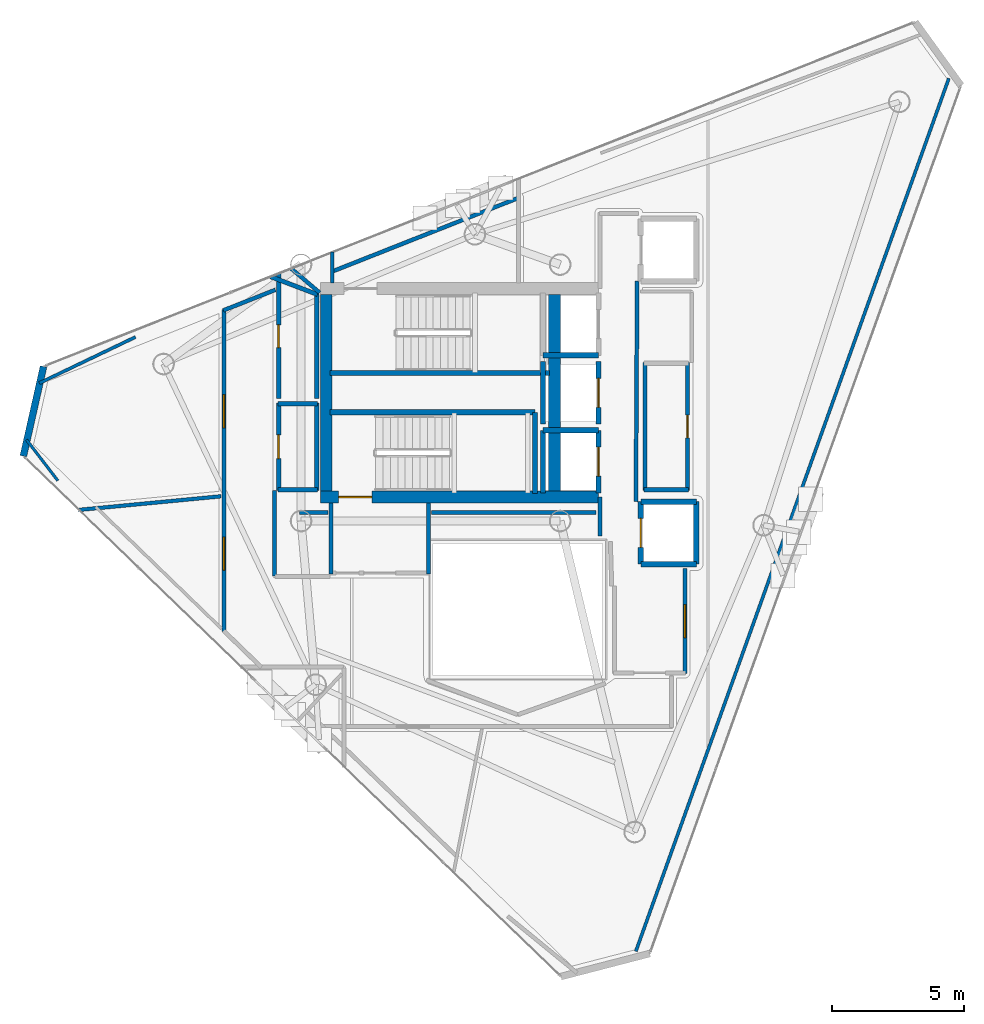
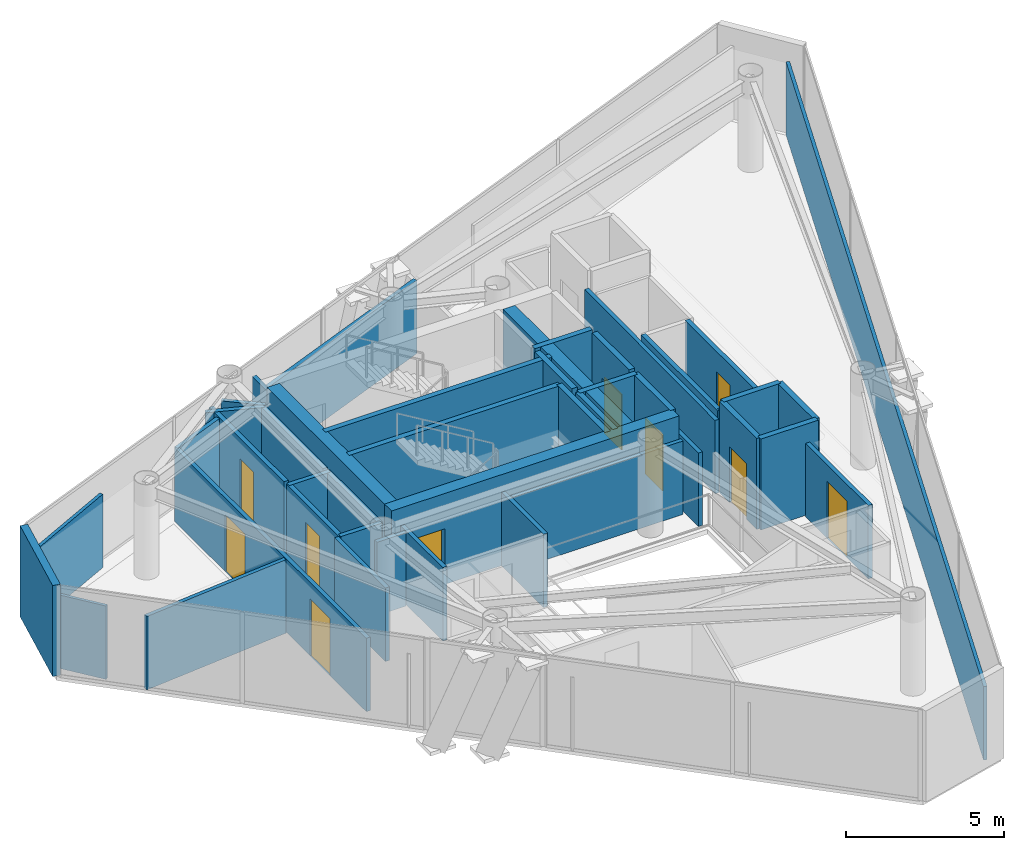
# One storey, part 16 of 19: 44 walls, 10 doors, 10 openings.
"""IFC4 building model written with IfcOpenShell, lengths in metres."""

from ifc_helpers import new_model, si_unit, direction, frame, frame_2d, origin, place, context, subcontext, project, spatial, rectangle, extrude, material, layer, layer_set, type_object, element, fill, save


model = new_model("IFC4")

# Units and contexts
model_context = context("Model", 3, precision=1e-05, world=origin(), true_north=direction((0.0, 1.0)))
body_context = subcontext(model_context, "Body", "Model", "MODEL_VIEW")
ifc_project = project(units=[si_unit("LENGTHUNIT", "METRE"), si_unit("AREAUNIT", "SQUARE_METRE"), si_unit("VOLUMEUNIT", "CUBIC_METRE"), si_unit("PLANEANGLEUNIT", "RADIAN"), si_unit("MASSUNIT", "GRAM", prefix="KILO")], contexts=[model_context])

# Site, building, storey
site_placement = place(None, origin())
site = spatial("IfcSite", under=ifc_project, at=site_placement, CompositionType="ELEMENT")
building_placement = place(site_placement, origin())
building = spatial("IfcBuilding", under=site, at=building_placement, Name="Qianvela Tower", CompositionType="ELEMENT")
storey_placement = place(building_placement, frame((0.0, 0.0, 344.39990234375)))
storey = spatial("IfcBuildingStorey", under=building, at=storey_placement, Name="L89", CompositionType="ELEMENT", Elevation=344.39990234375)

# Wall
ifc_material_1 = material(Name="Terracotta Cladding on Concrete C40", Category="masonry")
ifc_layer_1 = layer(ifc_material_1, 0.260009765625)
ifc_layer_set_1 = layer_set([ifc_layer_1], Name="Terracotta Cladding on Concrete C40")
wall_type_1 = type_object("IfcWallType", Name="TERRACOTTA-WALL-260", PredefinedType="SOLIDWALL", material=ifc_layer_set_1)
wall_1_placement = place(storey_placement, frame((18.8603515625, 29.69384765625, 0.0), z_axis=(0.0, 0.0, 1.0), x_axis=(-0.219758092105, -0.975554396717, 0.0)))
element("IfcWall", 1, at=wall_1_placement, inside=storey, type_object=wall_type_1, Name="L89 Terracotta Chamfer Facet Wall 3", PredefinedType="SOLIDWALL", context=body_context, shape_type="SweptSolid", body=[
    extrude(rectangle(XDim=3.472900390625, YDim=0.260009765625, at=frame_2d((1.736328125, 0.0))), origin(), (0.0, 0.0, 1.0), 3.52001953125),
])

# Wall, opening, door
ifc_material_2 = material(Name="Concrete C50", Category="concrete")
ifc_layer_2 = layer(ifc_material_2, 0.449951171875)
ifc_layer_set_2 = layer_set([ifc_layer_2], Name="Concrete C50")
wall_type_2 = type_object("IfcWallType", Name="WT-CORE-450", PredefinedType="SHEAR", material=ifc_layer_set_2)
wall_2_placement = place(storey_placement, frame((29.330078125, 24.7548828125, 0.0), z_axis=(0.0, 0.0, 1.0), x_axis=(1.0, 0.0, 0.0)))
wall_2 = element("IfcWall", 2, at=wall_2_placement, inside=storey, type_object=wall_type_2, Name="L89 South Core Shear Wall", PredefinedType="SHEAR", context=body_context, shape_type="SweptSolid", body=[
    extrude(rectangle(XDim=10.52001953125, YDim=0.449951171875, at=frame_2d((5.260009765625, 0.0))), origin(), (0.0, 0.0, 1.0), 3.52001953125),
])
opening_1_placement = place(wall_2_placement, frame((0.695068359375, 0.0, 0.0)))
opening_1 = element("IfcOpeningElement", 3, at=opening_1_placement, cuts=wall_2, Name="Opening D-ST1", PredefinedType="OPENING", context=body_context, shape_type="SweptSolid", body=[
    extrude(rectangle(XDim=1.25, YDim=2.14990234375, at=frame_2d((0.625, 1.074951171875))), frame((0.0, 0.23486328125, 0.0), z_axis=(0.0, -1.0, 0.0), x_axis=(1.0, 0.0, 0.0)), (0.0, 0.0, 1.0), 0.469970703125),
])
ifc_material_3 = material(Name="Galvanised Fire Steel Q355B", Category="steel")
door_type_1 = type_object("IfcDoorType", Name="DT-STAIR-FD90", OperationType="NOTDEFINED", PredefinedType="DOOR", material=ifc_material_3)
door_1_placement = place(opening_1_placement, origin())
door_1 = element("IfcDoor", 4, at=door_1_placement, inside=storey, type_object=door_type_1, Name="L89 Stair ST-2 Exit Door", OperationType="SINGLE_SWING_LEFT", OverallHeight=2.14990234375, OverallWidth=1.25, PredefinedType="DOOR", context=body_context, shape_type="SweptSolid", body=[
    extrude(rectangle(XDim=1.25, YDim=2.14990234375, at=frame_2d((0.625, 1.074951171875))), frame((0.0, 0.02490234375, 0.0), z_axis=(0.0, -1.0, 0.0), x_axis=(1.0, 0.0, 0.0)), (0.0, 0.0, 1.0), 0.050048828125),
])
fill(opening_1, door_1)

# Walls
for number, where, z_axis, x_axis, name in (
    (5, (29.554931640625, 24.97998046875, 0.0), (0.0, 0.0, 1.0), (0.0, 1.0, 0.0), "L89 West Core Shear Wall"),
    (6, (38.179931640625, 24.97998046875, 0.0), (0.0, 0.0, 1.0), (0.0, 1.0, 0.0), "L89 East Spine Core Shear Wall"),
):
    element("IfcWall", number, at=place(storey_placement, frame(where, z_axis=z_axis, x_axis=x_axis)), inside=storey, type_object=wall_type_2, Name=name, PredefinedType="SHEAR", context=body_context, shape_type="SweptSolid", body=[
        extrude(rectangle(XDim=7.43994140625, YDim=0.449951171875, at=frame_2d((3.719970703125, 0.0))), origin(), (0.0, 0.0, 1.0), 3.52001953125),
    ])
ifc_material_4 = material(Name="Fire-Rated Acoustic Gypsum Board")
ifc_layer_3 = layer(ifc_material_4, 0.14990234375)
ifc_layer_set_3 = layer_set([ifc_layer_3], Name="Fire-Rated Acoustic Gypsum Board")
wall_type_3 = type_object("IfcWallType", Name="WT-CORR-150", PredefinedType="PARTITIONING", material=ifc_layer_set_3)
wall_3_placement = place(storey_placement, frame((29.761474609375, 33.281005859375, 0.0), z_axis=(0.0, 0.0, 1.0), x_axis=(0.929984111793, 0.367599716828, 0.0)))
element("IfcWall", 7, at=wall_3_placement, inside=storey, type_object=wall_type_3, Name="L89 Partition 1", PredefinedType="PARTITIONING", context=body_context, shape_type="SweptSolid", body=[
    extrude(rectangle(XDim=7.63427734375, YDim=0.14990234375, at=frame_2d((3.817138671875, 0.0))), origin(), (0.0, 0.0, 1.0), 2.840087890625),
])
wall_4_placement = place(storey_placement, frame((29.781005859375, 32.85791015625, 0.0), z_axis=(0.0, 0.0, 1.0), x_axis=(0.0, 1.0, 0.0)))
element("IfcWall", 8, at=wall_4_placement, inside=storey, type_object=wall_type_3, Name="L89 Partition 4", PredefinedType="PARTITIONING", context=body_context, shape_type="SweptSolid", body=[
    extrude(rectangle(XDim=1.172607421875, YDim=0.14990234375, at=frame_2d((0.58642578125, 0.0))), origin(), (0.0, 0.0, 1.0), 2.840087890625),
])
for number, where, z_axis, x_axis, name in (
    (9, (29.73095703125, 21.85009765625, 0.0), (0.0, 0.0, 1.0), (0.0, 1.0, 0.0), "L89 Partition 6"),
    (10, (33.4189453125, 24.5419921875, 0.0), (0.0, 0.0, 1.0), (0.0, -1.0, 0.0), "L89 Partition 8"),
):
    element("IfcWall", number, at=place(storey_placement, frame(where, z_axis=z_axis, x_axis=x_axis)), inside=storey, type_object=wall_type_3, Name=name, PredefinedType="PARTITIONING", context=body_context, shape_type="SweptSolid", body=[
        extrude(rectangle(XDim=2.69189453125, YDim=0.14990234375, at=frame_2d((1.345947265625, 0.0))), origin(), (0.0, 0.0, 1.0), 2.840087890625),
    ])
wall_5_placement = place(storey_placement, frame((39.910888671875, 23.280029296875, 0.0), z_axis=(0.0, 0.0, 1.0), x_axis=(0.0, 1.0, 0.0)))
element("IfcWall", 11, at=wall_5_placement, inside=storey, type_object=wall_type_3, Name="L89 Partition 10", PredefinedType="PARTITIONING", context=body_context, shape_type="SweptSolid", body=[
    extrude(rectangle(XDim=1.47998046875, YDim=0.14990234375, at=frame_2d((0.739990234375, 0.0))), origin(), (0.0, 0.0, 1.0), 2.840087890625),
])
wall_6_placement = place(storey_placement, frame((41.3134765625, 32.919921875, 0.0), z_axis=(0.0, 0.0, 1.0), x_axis=(-0.005942518022, -0.999982343084, 0.0)))
element("IfcWall", 12, at=wall_6_placement, inside=storey, type_object=wall_type_3, Name="L89 Partition 14 seg 2", PredefinedType="PARTITIONING", context=body_context, shape_type="SweptSolid", body=[
    extrude(rectangle(XDim=8.340087890625, YDim=0.14990234375, at=frame_2d((4.169921875, 0.0))), origin(), (0.0, 0.0, 1.0), 2.840087890625),
])

# Wall, opening, door
wall_7_placement = place(storey_placement, frame((43.118896484375, 22.050048828125, 0.0), z_axis=(0.0, 0.0, 1.0), x_axis=(0.0, -1.0, 0.0)))
wall_7 = element("IfcWall", 13, at=wall_7_placement, inside=storey, type_object=wall_type_3, Name="L89 Partition 16", PredefinedType="PARTITIONING", context=body_context, shape_type="SweptSolid", body=[
    extrude(rectangle(XDim=3.969970703125, YDim=0.14990234375, at=frame_2d((1.98486328125, 0.0))), origin(), (0.0, 0.0, 1.0), 2.840087890625),
])
opening_2_placement = place(wall_7_placement, frame((1.360107421875, 0.0, 0.0)))
opening_2 = element("IfcOpeningElement", 14, at=opening_2_placement, cuts=wall_7, Name="Opening D-LG1", PredefinedType="OPENING", context=body_context, shape_type="SweptSolid", body=[
    extrude(rectangle(XDim=1.25, YDim=2.199951171875, at=frame_2d((0.625, 1.10009765625))), frame((0.0, 0.0849609375, 0.0), z_axis=(0.0, -1.0, 0.0), x_axis=(1.0, 0.0, 0.0)), (0.0, 0.0, 1.0), 0.169921875),
])
ifc_material_5 = material(Name="Anodised Aluminium Acoustic Glass Door", Category="aluminium")
door_type_2 = type_object("IfcDoorType", Name="DT-LOUNGE-1250", OperationType="NOTDEFINED", PredefinedType="DOOR", material=ifc_material_5)
door_2_placement = place(opening_2_placement, origin())
door_2 = element("IfcDoor", 15, at=door_2_placement, inside=storey, type_object=door_type_2, Name="L89 Door Student Reading Library L89-03 to L89 Lift Lobby", OperationType="SINGLE_SWING_RIGHT", OverallHeight=2.199951171875, OverallWidth=1.25, PredefinedType="DOOR", context=body_context, shape_type="SweptSolid", body=[
    extrude(rectangle(XDim=1.25, YDim=2.199951171875, at=frame_2d((0.625, 1.10009765625))), frame((0.0, 0.02490234375, 0.0), z_axis=(0.0, -1.0, 0.0), x_axis=(1.0, 0.0, 0.0)), (0.0, 0.0, 1.0), 0.050048828125),
])
fill(opening_2, door_2)

# Walls
wall_8_placement = place(storey_placement, frame((29.6201171875, 24.180908203125, 0.0), z_axis=(0.0, 0.0, 1.0), x_axis=(-1.0, 0.0, 0.0)))
element("IfcWall", 16, at=wall_8_placement, inside=storey, type_object=wall_type_3, Name="L89 Partition 36", PredefinedType="PARTITIONING", context=body_context, shape_type="SweptSolid", body=[
    extrude(rectangle(XDim=1.070068359375, YDim=0.14990234375, at=frame_2d((0.53515625, 0.0))), origin(), (0.0, 0.0, 1.0), 2.840087890625),
])
wall_9_placement = place(storey_placement, frame((29.303466796875, 32.488525390625, 0.0), z_axis=(0.0, 0.0, 1.0), x_axis=(-0.762799786906, 0.646634738547, 0.0)))
element("IfcWall", 17, at=wall_9_placement, inside=storey, type_object=wall_type_3, Name="L89 Partition 40", PredefinedType="PARTITIONING", context=body_context, shape_type="SweptSolid", body=[
    extrude(rectangle(XDim=1.406005859375, YDim=0.14990234375, at=frame_2d((0.703125, 0.0))), origin(), (0.0, 0.0, 1.0), 2.840087890625),
])
wall_10_placement = place(storey_placement, frame((39.75, 24.180908203125, 0.0), z_axis=(0.0, 0.0, 1.0), x_axis=(-1.0, 0.0, 0.0)))
element("IfcWall", 18, at=wall_10_placement, inside=storey, type_object=wall_type_3, Name="L89 Partition 44", PredefinedType="PARTITIONING", context=body_context, shape_type="SweptSolid", body=[
    extrude(rectangle(XDim=6.219970703125, YDim=0.14990234375, at=frame_2d((3.10986328125, 0.0))), origin(), (0.0, 0.0, 1.0), 2.840087890625),
])

# Wall, openings, doors
wall_11_placement = place(storey_placement, frame((25.680908203125, 19.680908203125, 0.0), z_axis=(0.0, 0.0, 1.0), x_axis=(0.0, 1.0, 0.0)))
wall_11 = element("IfcWall", 19, at=wall_11_placement, inside=storey, type_object=wall_type_3, Name="L89 Partition 52", PredefinedType="PARTITIONING", context=body_context, shape_type="SweptSolid", body=[
    extrude(rectangle(XDim=12.164306640625, YDim=0.14990234375, at=frame_2d((6.08203125, 0.0))), origin(), (0.0, 0.0, 1.0), 2.840087890625),
])
opening_3_placement = place(wall_11_placement, frame((2.3134765625, 0.0, 0.0)))
opening_3 = element("IfcOpeningElement", 20, at=opening_3_placement, cuts=wall_11, Name="Opening D-LG1", PredefinedType="OPENING", context=body_context, shape_type="SweptSolid", body=[
    extrude(rectangle(XDim=1.25, YDim=2.199951171875, at=frame_2d((0.625, 1.10009765625))), frame((0.0, 0.0849609375, 0.0), z_axis=(0.0, -1.0, 0.0), x_axis=(1.0, 0.0, 0.0)), (0.0, 0.0, 1.0), 0.169921875),
])
opening_4_placement = place(wall_11_placement, frame((7.697021484375, 0.0, 0.0)))
opening_4 = element("IfcOpeningElement", 21, at=opening_4_placement, cuts=wall_11, Name="Opening D-LG1", PredefinedType="OPENING", context=body_context, shape_type="SweptSolid", body=[
    extrude(rectangle(XDim=1.25, YDim=2.199951171875, at=frame_2d((0.625, 1.10009765625))), frame((0.0, 0.0849609375, 0.0), z_axis=(0.0, -1.0, 0.0), x_axis=(1.0, 0.0, 0.0)), (0.0, 0.0, 1.0), 0.169921875),
])
door_3_placement = place(opening_3_placement, origin())
door_3 = element("IfcDoor", 22, at=door_3_placement, inside=storey, type_object=door_type_2, Name="L89 Door Student Fitness Gym L89-01 to L89 Floor Corridor", OperationType="SINGLE_SWING_RIGHT", OverallHeight=2.199951171875, OverallWidth=1.25, PredefinedType="DOOR", context=body_context, shape_type="SweptSolid", body=[
    extrude(rectangle(XDim=1.25, YDim=2.199951171875, at=frame_2d((0.625, 1.10009765625))), frame((0.0, 0.02490234375, 0.0), z_axis=(0.0, -1.0, 0.0), x_axis=(1.0, 0.0, 0.0)), (0.0, 0.0, 1.0), 0.050048828125),
])
fill(opening_3, door_3)
door_4_placement = place(opening_4_placement, origin())
door_4 = element("IfcDoor", 23, at=door_4_placement, inside=storey, type_object=door_type_2, Name="L89 Door Commons Day Lounge L89-04 to L89 Floor Corridor", OperationType="SINGLE_SWING_LEFT", OverallHeight=2.199951171875, OverallWidth=1.25, PredefinedType="DOOR", context=body_context, shape_type="SweptSolid", body=[
    extrude(rectangle(XDim=1.25, YDim=2.199951171875, at=frame_2d((0.625, 1.10009765625))), frame((0.0, 0.02490234375, 0.0), z_axis=(0.0, -1.0, 0.0), x_axis=(1.0, 0.0, 0.0)), (0.0, 0.0, 1.0), 0.050048828125),
])
fill(opening_4, door_4)

# Walls
wall_12_placement = place(storey_placement, frame((25.661376953125, 31.81640625, 0.0), z_axis=(0.0, 0.0, 1.0), x_axis=(0.929963469363, 0.367651935465, 0.0)))
element("IfcWall", 24, at=wall_12_placement, inside=storey, type_object=wall_type_3, Name="L89 Partition 53", PredefinedType="PARTITIONING", context=body_context, shape_type="SweptSolid", body=[
    extrude(rectangle(XDim=2.118408203125, YDim=0.14990234375, at=frame_2d((1.05908203125, 0.0))), origin(), (0.0, 0.0, 1.0), 2.840087890625),
])
wall_13_placement = place(storey_placement, frame((27.589111328125, 25.0, 0.0), z_axis=(0.0, 0.0, 1.0), x_axis=(0.0, -1.0, 0.0)))
element("IfcWall", 25, at=wall_13_placement, inside=storey, type_object=wall_type_3, Name="L89 Partition 54 seg 2", PredefinedType="PARTITIONING", context=body_context, shape_type="SweptSolid", body=[
    extrude(rectangle(XDim=3.219970703125, YDim=0.14990234375, at=frame_2d((1.60986328125, 0.0))), origin(), (0.0, 0.0, 1.0), 2.840087890625),
])
ifc_material_6 = material(Name="Lightweight Gypsum Room Partition")
ifc_layer_4 = layer(ifc_material_6, 0.10498046875)
ifc_layer_set_4 = layer_set([ifc_layer_4], Name="Lightweight Gypsum Room Partition")
wall_type_4 = type_object("IfcWallType", Name="WT-PART-105", PredefinedType="PARTITIONING", material=ifc_layer_set_4)
wall_14_placement = place(storey_placement, frame((19.400634765625, 25.377685546875, 0.0), z_axis=(0.0, 0.0, 1.0), x_axis=(-0.608186329472, 0.793794298697, 0.0)))
element("IfcWall", 26, at=wall_14_placement, inside=storey, type_object=wall_type_4, Name="L89 Partition 89 seg 1", PredefinedType="PARTITIONING", context=body_context, shape_type="SweptSolid", body=[
    extrude(rectangle(XDim=1.944091796875, YDim=0.10498046875, at=frame_2d((0.97216796875, 0.0))), origin(), (0.0, 0.0, 1.0), 2.840087890625),
])
ifc_material_7 = material(Name="Insulated Gypsum Stud Partition")
ifc_layer_5 = layer(ifc_material_7, 0.1201171875)
ifc_layer_set_5 = layer_set([ifc_layer_5], Name="Insulated Gypsum Stud Partition")
wall_type_5 = type_object("IfcWallType", Name="WT-PART-120", PredefinedType="PARTITIONING", material=ifc_layer_set_5)
wall_15_placement = place(storey_placement, frame((53.102294921875, 40.59326171875, 0.0), z_axis=(0.0, 0.0, 1.0), x_axis=(-0.337534144826, -0.941313285297, 0.0)))
element("IfcWall", 27, at=wall_15_placement, inside=storey, type_object=wall_type_5, Name="L89 Partition 82", PredefinedType="PARTITIONING", context=body_context, shape_type="SweptSolid", body=[
    extrude(rectangle(XDim=35.0751953125, YDim=0.1201171875, at=frame_2d((17.53759765625, 0.0))), origin(), (0.0, 0.0, 1.0), 2.840087890625),
])
wall_16_placement = place(storey_placement, frame((18.701904296875, 29.0654296875, 0.0), z_axis=(0.0, 0.0, 1.0), x_axis=(0.9015627341, 0.432648398219, 0.0)))
element("IfcWall", 28, at=wall_16_placement, inside=storey, type_object=wall_type_5, Name="L89 Partition 91 seg 1", PredefinedType="PARTITIONING", context=body_context, shape_type="SweptSolid", body=[
    extrude(rectangle(XDim=4.032470703125, YDim=0.1201171875, at=frame_2d((2.01611328125, 0.0))), origin(), (0.0, 0.0, 1.0), 2.840087890625),
])
ifc_material_8 = material(Name="Sanitary Service Chase Partition")
ifc_layer_6 = layer(ifc_material_8, 0.1650390625)
ifc_layer_set_6 = layer_set([ifc_layer_6], Name="Sanitary Service Chase Partition")
wall_type_6 = type_object("IfcWallType", Name="WT-PLUMB-165", PredefinedType="PLUMBINGWALL", material=ifc_layer_set_6)
wall_17_placement = place(storey_placement, frame((43.25, 25.031005859375, 0.0), z_axis=(0.0, 0.0, 1.0), x_axis=(-1.0, 0.0, 0.0)))
element("IfcWall", 29, at=wall_17_placement, inside=storey, type_object=wall_type_6, Name="L89 Partition 19", PredefinedType="PLUMBINGWALL", context=body_context, shape_type="SweptSolid", body=[
    extrude(rectangle(XDim=1.669921875, YDim=0.1650390625, at=frame_2d((0.8349609375, 0.0))), origin(), (0.0, 0.0, 1.0), 2.840087890625),
])
wall_18_placement = place(storey_placement, frame((41.611083984375, 25.0, 0.0), z_axis=(0.0, 0.0, 1.0), x_axis=(0.0, 1.0, 0.0)))
element("IfcWall", 30, at=wall_18_placement, inside=storey, type_object=wall_type_6, Name="L89 Partition 20", PredefinedType="PLUMBINGWALL", context=body_context, shape_type="SweptSolid", body=[
    extrude(rectangle(XDim=4.85009765625, YDim=0.1650390625, at=frame_2d((2.425048828125, 0.0))), origin(), (0.0, 0.0, 1.0), 2.840087890625),
])

# Wall, opening, door
wall_19_placement = place(storey_placement, frame((43.218994140625, 29.85009765625, 0.0), z_axis=(0.0, 0.0, 1.0), x_axis=(0.0, -1.0, 0.0)))
wall_19 = element("IfcWall", 31, at=wall_19_placement, inside=storey, type_object=wall_type_6, Name="L89 Partition 22", PredefinedType="PLUMBINGWALL", context=body_context, shape_type="SweptSolid", body=[
    extrude(rectangle(XDim=4.85009765625, YDim=0.1650390625, at=frame_2d((2.425048828125, 0.0))), origin(), (0.0, 0.0, 1.0), 2.840087890625),
])
opening_5_placement = place(wall_19_placement, frame((1.9951171875, 0.0, 0.0)))
opening_5 = element("IfcOpeningElement", 32, at=opening_5_placement, cuts=wall_19, Name="Opening D-WC1", PredefinedType="OPENING", context=body_context, shape_type="SweptSolid", body=[
    extrude(rectangle(XDim=0.860107421875, YDim=2.050048828125, at=frame_2d((0.43017578125, 1.02490234375))), frame((0.0, 0.092529296875, 0.0), z_axis=(0.0, -1.0, 0.0), x_axis=(1.0, 0.0, 0.0)), (0.0, 0.0, 1.0), 0.18505859375),
])
ifc_material_9 = material(Name="Moisture-Sealed Acoustic Timber Door", Category="wood")
door_type_3 = type_object("IfcDoorType", Name="DT-WC-860", OperationType="NOTDEFINED", PredefinedType="DOOR", material=ifc_material_9)
door_5_placement = place(opening_5_placement, origin())
door_5 = element("IfcDoor", 33, at=door_5_placement, inside=storey, type_object=door_type_3, Name="L89 Door L89 Accessible WC to Student Reading Library L89-03", OperationType="SINGLE_SWING_RIGHT", OverallHeight=2.050048828125, OverallWidth=0.860107421875, PredefinedType="DOOR", context=body_context, shape_type="SweptSolid", body=[
    extrude(rectangle(XDim=0.860107421875, YDim=2.050048828125, at=frame_2d((0.43017578125, 1.02490234375))), frame((0.0, 0.02490234375, 0.0), z_axis=(0.0, -1.0, 0.0), x_axis=(1.0, 0.0, 0.0)), (0.0, 0.0, 1.0), 0.050048828125),
])
fill(opening_5, door_5)

wall_20_placement = place(storey_placement, frame((27.7509765625, 25.0, 0.0), z_axis=(0.0, 0.0, 1.0), x_axis=(0.0, 1.0, 0.0)))
wall_20 = element("IfcWall", 34, at=wall_20_placement, inside=storey, type_object=wall_type_6, Name="L89 Partition 23", PredefinedType="PLUMBINGWALL", context=body_context, shape_type="SweptSolid", body=[
    extrude(rectangle(XDim=3.320068359375, YDim=0.1650390625, at=frame_2d((1.66015625, 0.0))), origin(), (0.0, 0.0, 1.0), 2.840087890625),
])
opening_6_placement = place(wall_20_placement, frame((1.2099609375, 0.0, 0.0)))
opening_6 = element("IfcOpeningElement", 35, at=opening_6_placement, cuts=wall_20, Name="Opening D-KT1", PredefinedType="OPENING", context=body_context, shape_type="SweptSolid", body=[
    extrude(rectangle(XDim=0.89990234375, YDim=2.10009765625, at=frame_2d((0.449951171875, 1.050048828125))), frame((0.0, 0.092529296875, 0.0), z_axis=(0.0, -1.0, 0.0), x_axis=(1.0, 0.0, 0.0)), (0.0, 0.0, 1.0), 0.18505859375),
])
ifc_material_10 = material(Name="Glazed Timber Kitchen Door", Category="wood")
door_type_4 = type_object("IfcDoorType", Name="DT-KITCH-900", OperationType="NOTDEFINED", PredefinedType="DOOR", material=ifc_material_10)
door_6_placement = place(opening_6_placement, origin())
door_6 = element("IfcDoor", 36, at=door_6_placement, inside=storey, type_object=door_type_4, Name="L89 Door L89 Core Tea Pantry West to L89 Floor Corridor", OperationType="SINGLE_SWING_LEFT", OverallHeight=2.10009765625, OverallWidth=0.89990234375, PredefinedType="DOOR", context=body_context, shape_type="SweptSolid", body=[
    extrude(rectangle(XDim=0.89990234375, YDim=2.10009765625, at=frame_2d((0.449951171875, 1.050048828125))), frame((0.0, 0.02490234375, 0.0), z_axis=(0.0, -1.0, 0.0), x_axis=(1.0, 0.0, 0.0)), (0.0, 0.0, 1.0), 0.050048828125),
])
fill(opening_6, door_6)

# Walls
wall_21_placement = place(storey_placement, frame((27.719970703125, 28.2890625, 0.0), z_axis=(0.0, 0.0, 1.0), x_axis=(1.0, 0.0, 0.0)))
element("IfcWall", 37, at=wall_21_placement, inside=storey, type_object=wall_type_6, Name="L89 Partition 24", PredefinedType="PLUMBINGWALL", context=body_context, shape_type="SweptSolid", body=[
    extrude(rectangle(XDim=1.5, YDim=0.1650390625, at=frame_2d((0.75, 0.0))), origin(), (0.0, 0.0, 1.0), 2.840087890625),
])
wall_22_placement = place(storey_placement, frame((29.18896484375, 28.320068359375, 0.0), z_axis=(0.0, 0.0, 1.0), x_axis=(0.0, -1.0, 0.0)))
element("IfcWall", 38, at=wall_22_placement, inside=storey, type_object=wall_type_6, Name="L89 Partition 25", PredefinedType="PLUMBINGWALL", context=body_context, shape_type="SweptSolid", body=[
    extrude(rectangle(XDim=3.320068359375, YDim=0.1650390625, at=frame_2d((1.66015625, 0.0))), origin(), (0.0, 0.0, 1.0), 2.840087890625),
])
wall_23_placement = place(storey_placement, frame((29.219970703125, 25.031005859375, 0.0), z_axis=(0.0, 0.0, 1.0), x_axis=(-1.0, 0.0, 0.0)))
element("IfcWall", 39, at=wall_23_placement, inside=storey, type_object=wall_type_6, Name="L89 Partition 26", PredefinedType="PLUMBINGWALL", context=body_context, shape_type="SweptSolid", body=[
    extrude(rectangle(XDim=1.5, YDim=0.1650390625, at=frame_2d((0.75, 0.0))), origin(), (0.0, 0.0, 1.0), 2.840087890625),
])

# Wall, opening, door
wall_24_placement = place(storey_placement, frame((27.7509765625, 28.47998046875, 0.0), z_axis=(0.0, 0.0, 1.0), x_axis=(0.0, 1.0, 0.0)))
wall_24 = element("IfcWall", 40, at=wall_24_placement, inside=storey, type_object=wall_type_6, Name="L89 Partition 27", PredefinedType="PLUMBINGWALL", context=body_context, shape_type="SweptSolid", body=[
    extrude(rectangle(XDim=4.748046875, YDim=0.1650390625, at=frame_2d((2.3740234375, 0.0))), origin(), (0.0, 0.0, 1.0), 2.840087890625),
])
opening_7_placement = place(wall_24_placement, frame((1.929931640625, 0.0, 0.0)))
opening_7 = element("IfcOpeningElement", 41, at=opening_7_placement, cuts=wall_24, Name="Opening D-WC1", PredefinedType="OPENING", context=body_context, shape_type="SweptSolid", body=[
    extrude(rectangle(XDim=0.860107421875, YDim=2.050048828125, at=frame_2d((0.43017578125, 1.02490234375))), frame((0.0, 0.092529296875, 0.0), z_axis=(0.0, -1.0, 0.0), x_axis=(1.0, 0.0, 0.0)), (0.0, 0.0, 1.0), 0.18505859375),
])
door_7_placement = place(opening_7_placement, origin())
door_7 = element("IfcDoor", 42, at=door_7_placement, inside=storey, type_object=door_type_3, Name="L89 Door L89 Accessible WC to L89 Floor Corridor", OperationType="SINGLE_SWING_RIGHT", OverallHeight=2.050048828125, OverallWidth=0.860107421875, PredefinedType="DOOR", context=body_context, shape_type="SweptSolid", body=[
    extrude(rectangle(XDim=0.860107421875, YDim=2.050048828125, at=frame_2d((0.43017578125, 1.02490234375))), frame((0.0, 0.02490234375, 0.0), z_axis=(0.0, -1.0, 0.0), x_axis=(1.0, 0.0, 0.0)), (0.0, 0.0, 1.0), 0.050048828125),
])
fill(opening_7, door_7)

# Walls
wall_25_placement = place(storey_placement, frame((27.45458984375, 33.0908203125, 0.0), z_axis=(0.0, 0.0, 1.0), x_axis=(0.934602347304, -0.355694324406, 0.0)))
element("IfcWall", 43, at=wall_25_placement, inside=storey, type_object=wall_type_6, Name="L89 Partition 28", PredefinedType="PLUMBINGWALL", context=body_context, shape_type="SweptSolid", body=[
    extrude(rectangle(XDim=1.888916015625, YDim=0.1650390625, at=frame_2d((0.9443359375, 0.0))), origin(), (0.0, 0.0, 1.0), 2.840087890625),
])
wall_26_placement = place(storey_placement, frame((29.18896484375, 32.449951171875, 0.0), z_axis=(0.0, 0.0, 1.0), x_axis=(0.0, -1.0, 0.0)))
element("IfcWall", 44, at=wall_26_placement, inside=storey, type_object=wall_type_6, Name="L89 Partition 29", PredefinedType="PLUMBINGWALL", context=body_context, shape_type="SweptSolid", body=[
    extrude(rectangle(XDim=3.969970703125, YDim=0.1650390625, at=frame_2d((1.98486328125, 0.0))), origin(), (0.0, 0.0, 1.0), 2.840087890625),
])
ifc_material_11 = material(Name="Acoustic Double Gypsum Stud Partition")
ifc_layer_7 = layer(ifc_material_11, 0.139892578125)
ifc_layer_set_7 = layer_set([ifc_layer_7], Name="Acoustic Double Gypsum Stud Partition")
wall_type_7 = type_object("IfcWallType", Name="WT-ROOM-140", PredefinedType="PARTITIONING", material=ifc_layer_set_7)
wall_27_placement = place(storey_placement, frame((20.177734375, 24.269775390625, 0.0), z_axis=(0.0, 0.0, 1.0), x_axis=(0.995455705066, 0.095225727884, 0.0)))
element("IfcWall", 45, at=wall_27_placement, inside=storey, type_object=wall_type_7, Name="L89 Partition 57", PredefinedType="PARTITIONING", context=body_context, shape_type="SweptSolid", body=[
    extrude(rectangle(XDim=5.419921875, YDim=0.139892578125, at=frame_2d((2.7099609375, 0.0))), origin(), (0.0, 0.0, 1.0), 2.840087890625),
])
ifc_material_12 = material(Name="Concrete C50", Category="concrete")
ifc_layer_8 = layer(ifc_material_12, 0.199951171875)
ifc_layer_set_8 = layer_set([ifc_layer_8], Name="Concrete C50")
wall_type_8 = type_object("IfcWallType", Name="WT-SHAFT-200", PredefinedType="SOLIDWALL", material=ifc_layer_set_8)
wall_28_placement = place(storey_placement, frame((29.699951171875, 29.449951171875, 0.0), z_axis=(0.0, 0.0, 1.0), x_axis=(1.0, 0.0, 0.0)))
element("IfcWall", 46, at=wall_28_placement, inside=storey, type_object=wall_type_8, Name="L89 Stair ST-1 South Wall", PredefinedType="SOLIDWALL", context=body_context, shape_type="SweptSolid", body=[
    extrude(rectangle(XDim=8.300048828125, YDim=0.199951171875, at=frame_2d((4.14990234375, 0.0))), origin(), (0.0, 0.0, 1.0), 3.52001953125),
])
wall_29_placement = place(storey_placement, frame((29.699951171875, 27.9599609375, 0.0), z_axis=(0.0, 0.0, 1.0), x_axis=(1.0, 0.0, 0.0)))
element("IfcWall", 47, at=wall_29_placement, inside=storey, type_object=wall_type_8, Name="L89 Stair ST-2 North Wall", PredefinedType="SOLIDWALL", context=body_context, shape_type="SweptSolid", body=[
    extrude(rectangle(XDim=7.75, YDim=0.199951171875, at=frame_2d((3.875, 0.0))), origin(), (0.0, 0.0, 1.0), 3.52001953125),
])
wall_30_placement = place(storey_placement, frame((37.449951171875, 24.89990234375, 0.0), z_axis=(0.0, 0.0, 1.0), x_axis=(0.0, 1.0, 0.0)))
element("IfcWall", 48, at=wall_30_placement, inside=storey, type_object=wall_type_8, Name="L89 Stair ST-2 East Wall", PredefinedType="SOLIDWALL", context=body_context, shape_type="SweptSolid", body=[
    extrude(rectangle(XDim=3.06005859375, YDim=0.199951171875, at=frame_2d((1.530029296875, 0.0))), origin(), (0.0, 0.0, 1.0), 3.52001953125),
])
wall_31_placement = place(storey_placement, frame((37.75, 30.1201171875, 0.0), z_axis=(0.0, 0.0, 1.0), x_axis=(1.0, 0.0, 0.0)))
element("IfcWall", 49, at=wall_31_placement, inside=storey, type_object=wall_type_8, Name="L89 Lift FL-1 S Shaft Wall", PredefinedType="SOLIDWALL", context=body_context, shape_type="SweptSolid", body=[
    extrude(rectangle(XDim=2.10009765625, YDim=0.199951171875, at=frame_2d((1.050048828125, 0.0))), origin(), (0.0, 0.0, 1.0), 3.52001953125),
])

# Wall, opening, door
wall_32_placement = place(storey_placement, frame((39.85009765625, 24.919921875, 0.0), z_axis=(0.0, 0.0, 1.0), x_axis=(0.0, 1.0, 0.0)))
wall_32 = element("IfcWall", 50, at=wall_32_placement, inside=storey, type_object=wall_type_8, Name="L89 Lift FL-2 E Shaft Wall", PredefinedType="SOLIDWALL", context=body_context, shape_type="SweptSolid", body=[
    extrude(rectangle(XDim=2.360107421875, YDim=0.199951171875, at=frame_2d((1.18017578125, 0.0))), origin(), (0.0, 0.0, 1.0), 3.52001953125),
])
opening_8_placement = place(wall_32_placement, frame((0.6298828125, 0.0, 0.0)))
opening_8 = element("IfcOpeningElement", 51, at=opening_8_placement, cuts=wall_32, Name="Opening LD-01", PredefinedType="OPENING", context=body_context, shape_type="SweptSolid", body=[
    extrude(rectangle(XDim=1.10009765625, YDim=2.14990234375, at=frame_2d((0.550048828125, 1.074951171875))), frame((0.0, 0.10986328125, 0.0), z_axis=(0.0, -1.0, 0.0), x_axis=(1.0, 0.0, 0.0)), (0.0, 0.0, 1.0), 0.219970703125),
])
ifc_material_13 = material(Name="Brushed Stainless Steel Lift Landing Door", Category="steel")
door_type_5 = type_object("IfcDoorType", Name="DT-LIFT-SLIDE-1100", OperationType="SLIDING_TO_LEFT", PredefinedType="DOOR", material=ifc_material_13)
door_8_placement = place(opening_8_placement, origin())
door_8 = element("IfcDoor", 52, at=door_8_placement, inside=storey, type_object=door_type_5, Name="L89 Lift FL-2 Sliding Landing Door", OperationType="SLIDING_TO_LEFT", OverallHeight=2.14990234375, OverallWidth=1.10009765625, PredefinedType="DOOR", context=body_context, shape_type="SweptSolid", body=[
    extrude(rectangle(XDim=1.10009765625, YDim=2.14990234375, at=frame_2d((0.550048828125, 1.074951171875))), frame((0.0, 0.02490234375, 0.0), z_axis=(0.0, -1.0, 0.0), x_axis=(1.0, 0.0, 0.0)), (0.0, 0.0, 1.0), 0.050048828125),
])
fill(opening_8, door_8)

# Walls
wall_33_placement = place(storey_placement, frame((37.75, 24.919921875, 0.0), z_axis=(0.0, 0.0, 1.0), x_axis=(0.0, 1.0, 0.0)))
element("IfcWall", 53, at=wall_33_placement, inside=storey, type_object=wall_type_8, Name="L89 Lift FL-2 W Shaft Wall", PredefinedType="SOLIDWALL", context=body_context, shape_type="SweptSolid", body=[
    extrude(rectangle(XDim=2.360107421875, YDim=0.199951171875, at=frame_2d((1.18017578125, 0.0))), origin(), (0.0, 0.0, 1.0), 3.52001953125),
])
wall_34_placement = place(storey_placement, frame((37.75, 27.280029296875, 0.0), z_axis=(0.0, 0.0, 1.0), x_axis=(1.0, 0.0, 0.0)))
element("IfcWall", 54, at=wall_34_placement, inside=storey, type_object=wall_type_8, Name="L89 Lift FL-2 N Shaft Wall", PredefinedType="SOLIDWALL", context=body_context, shape_type="SweptSolid", body=[
    extrude(rectangle(XDim=2.10009765625, YDim=0.199951171875, at=frame_2d((1.050048828125, 0.0))), origin(), (0.0, 0.0, 1.0), 3.52001953125),
])

# Wall, opening, door
wall_35_placement = place(storey_placement, frame((39.85009765625, 27.52001953125, 0.0), z_axis=(0.0, 0.0, 1.0), x_axis=(0.0, 1.0, 0.0)))
wall_35 = element("IfcWall", 55, at=wall_35_placement, inside=storey, type_object=wall_type_8, Name="L89 Lift PL-H1 E Shaft Wall", PredefinedType="SOLIDWALL", context=body_context, shape_type="SweptSolid", body=[
    extrude(rectangle(XDim=2.35986328125, YDim=0.199951171875, at=frame_2d((1.179931640625, 0.0))), origin(), (0.0, 0.0, 1.0), 3.52001953125),
])
opening_9_placement = place(wall_35_placement, frame((0.6298828125, 0.0, 0.0)))
opening_9 = element("IfcOpeningElement", 56, at=opening_9_placement, cuts=wall_35, Name="Opening LD-01", PredefinedType="OPENING", context=body_context, shape_type="SweptSolid", body=[
    extrude(rectangle(XDim=1.10009765625, YDim=2.14990234375, at=frame_2d((0.550048828125, 1.074951171875))), frame((0.0, 0.10986328125, 0.0), z_axis=(0.0, -1.0, 0.0), x_axis=(1.0, 0.0, 0.0)), (0.0, 0.0, 1.0), 0.219970703125),
])
door_9_placement = place(opening_9_placement, origin())
door_9 = element("IfcDoor", 57, at=door_9_placement, inside=storey, type_object=door_type_5, Name="L89 Lift PL-H1 Sliding Landing Door", OperationType="SLIDING_TO_LEFT", OverallHeight=2.14990234375, OverallWidth=1.10009765625, PredefinedType="DOOR", context=body_context, shape_type="SweptSolid", body=[
    extrude(rectangle(XDim=1.10009765625, YDim=2.14990234375, at=frame_2d((0.550048828125, 1.074951171875))), frame((0.0, 0.02490234375, 0.0), z_axis=(0.0, -1.0, 0.0), x_axis=(1.0, 0.0, 0.0)), (0.0, 0.0, 1.0), 0.050048828125),
])
fill(opening_9, door_9)

# Walls
wall_36_placement = place(storey_placement, frame((37.75, 27.52001953125, 0.0), z_axis=(0.0, 0.0, 1.0), x_axis=(0.0, 1.0, 0.0)))
element("IfcWall", 58, at=wall_36_placement, inside=storey, type_object=wall_type_8, Name="L89 Lift PL-H1 W Shaft Wall", PredefinedType="SOLIDWALL", context=body_context, shape_type="SweptSolid", body=[
    extrude(rectangle(XDim=2.35986328125, YDim=0.199951171875, at=frame_2d((1.179931640625, 0.0))), origin(), (0.0, 0.0, 1.0), 3.52001953125),
])
wall_37_placement = place(storey_placement, frame((43.550048828125, 22.219970703125, 0.0), z_axis=(0.0, 0.0, 1.0), x_axis=(0.0, 1.0, 0.0)))
element("IfcWall", 59, at=wall_37_placement, inside=storey, type_object=wall_type_8, Name="L89 Lift PL-H2 E Shaft Wall", PredefinedType="SOLIDWALL", context=body_context, shape_type="SweptSolid", body=[
    extrude(rectangle(XDim=2.360107421875, YDim=0.199951171875, at=frame_2d((1.18017578125, 0.0))), origin(), (0.0, 0.0, 1.0), 3.52001953125),
])

# Wall, opening, door
wall_38_placement = place(storey_placement, frame((41.449951171875, 22.219970703125, 0.0), z_axis=(0.0, 0.0, 1.0), x_axis=(0.0, 1.0, 0.0)))
wall_38 = element("IfcWall", 60, at=wall_38_placement, inside=storey, type_object=wall_type_8, Name="L89 Lift PL-H2 W Shaft Wall", PredefinedType="SOLIDWALL", context=body_context, shape_type="SweptSolid", body=[
    extrude(rectangle(XDim=2.360107421875, YDim=0.199951171875, at=frame_2d((1.18017578125, 0.0))), origin(), (0.0, 0.0, 1.0), 3.52001953125),
])
opening_10_placement = place(wall_38_placement, frame((0.6298828125, 0.0, 0.0)))
opening_10 = element("IfcOpeningElement", 61, at=opening_10_placement, cuts=wall_38, Name="Opening LD-01", PredefinedType="OPENING", context=body_context, shape_type="SweptSolid", body=[
    extrude(rectangle(XDim=1.10009765625, YDim=2.14990234375, at=frame_2d((0.550048828125, 1.074951171875))), frame((0.0, 0.10986328125, 0.0), z_axis=(0.0, -1.0, 0.0), x_axis=(1.0, 0.0, 0.0)), (0.0, 0.0, 1.0), 0.219970703125),
])
door_10_placement = place(opening_10_placement, origin())
door_10 = element("IfcDoor", 62, at=door_10_placement, inside=storey, type_object=door_type_5, Name="L89 Lift PL-H2 Sliding Landing Door", OperationType="SLIDING_TO_LEFT", OverallHeight=2.14990234375, OverallWidth=1.10009765625, PredefinedType="DOOR", context=body_context, shape_type="SweptSolid", body=[
    extrude(rectangle(XDim=1.10009765625, YDim=2.14990234375, at=frame_2d((0.550048828125, 1.074951171875))), frame((0.0, 0.02490234375, 0.0), z_axis=(0.0, -1.0, 0.0), x_axis=(1.0, 0.0, 0.0)), (0.0, 0.0, 1.0), 0.050048828125),
])
fill(opening_10, door_10)

# Walls
for number, where, z_axis, x_axis, name in (
    (63, (41.449951171875, 24.580078125, 0.0), (0.0, 0.0, 1.0), (1.0, 0.0, 0.0), "L89 Lift PL-H2 N Shaft Wall"),
    (64, (41.449951171875, 22.219970703125, 0.0), (0.0, 0.0, 1.0), (1.0, 0.0, 0.0), "L89 Lift PL-H2 S Shaft Wall"),
):
    element("IfcWall", number, at=place(storey_placement, frame(where, z_axis=z_axis, x_axis=x_axis)), inside=storey, type_object=wall_type_8, Name=name, PredefinedType="SOLIDWALL", context=body_context, shape_type="SweptSolid", body=[
        extrude(rectangle(XDim=2.10009765625, YDim=0.199951171875, at=frame_2d((1.050048828125, 0.0))), origin(), (0.0, 0.0, 1.0), 3.52001953125),
    ])

save(model, "model.ifc")
